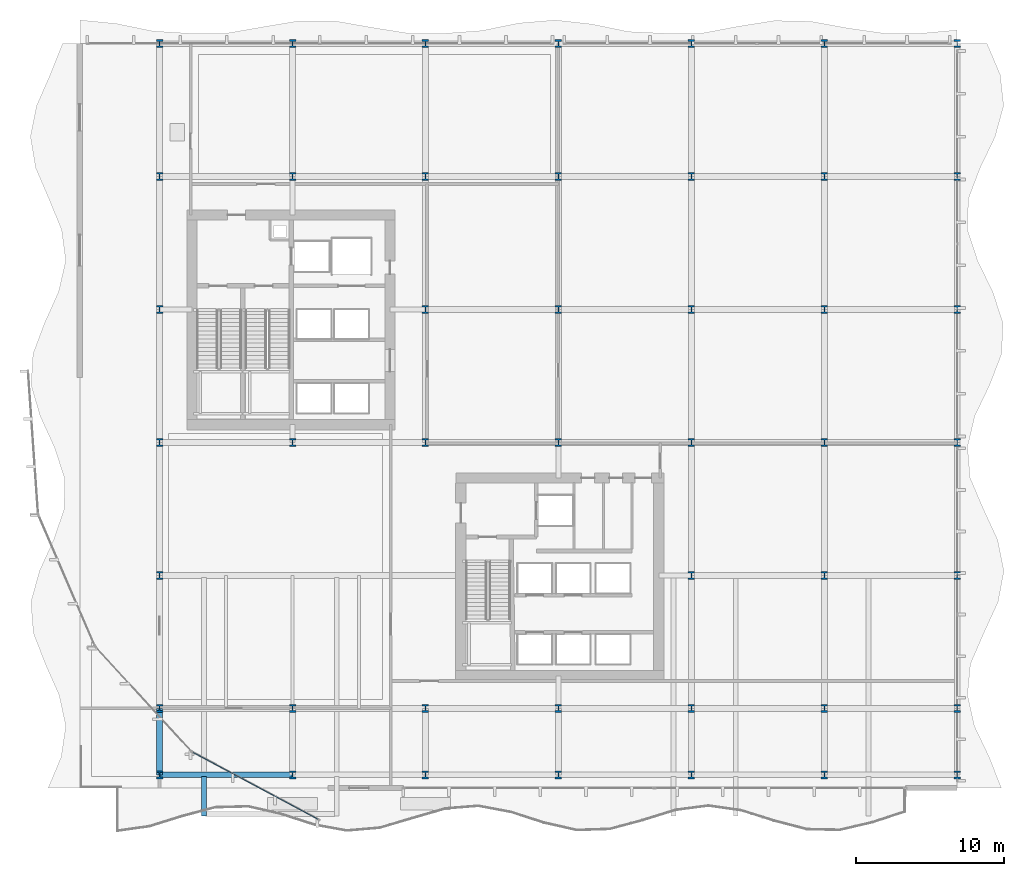
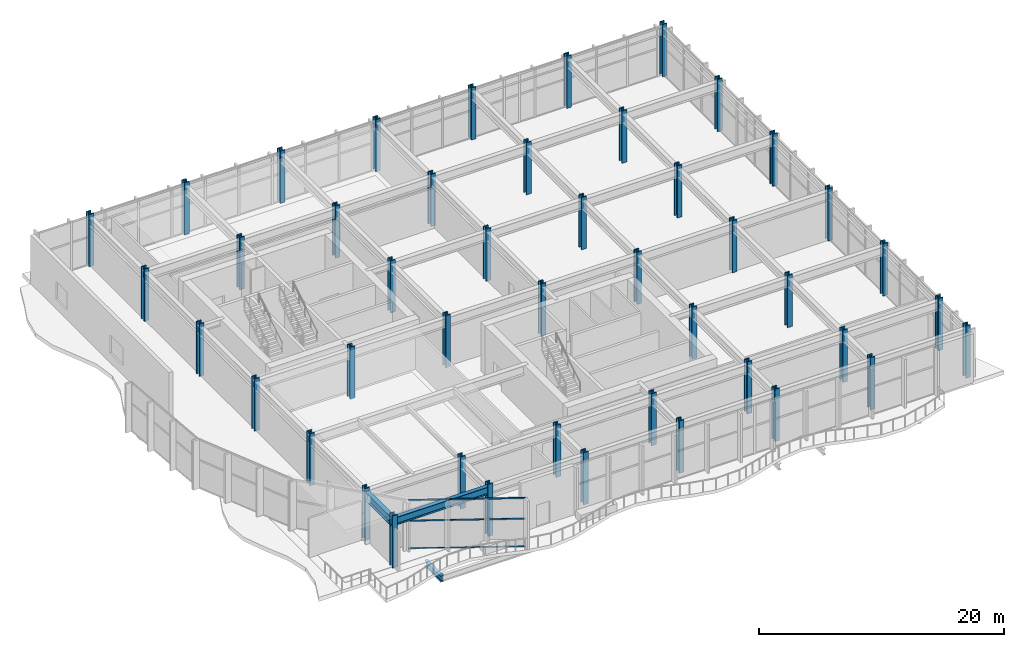
# One storey, part 1 of 31: 45 columns, 3 beams, 3 members, 1 element without a shape of its own.
"""IFC4 building model written with IfcOpenShell, lengths in metres."""

import ifcopenshell
import ifcopenshell.guid

model = None  # the IFC model being written
_history = None  # IfcOwnerHistory: only IFC2X3 demands one
_inside = {}  # id of a spatial element -> (the spatial element, [elements in it])
_under = {}  # id of a project, library or spatial element -> (it, [spatial elements below it])
_declared = {}  # id of a project -> (the project, [libraries it declares])
_typed = {}  # id of a type object -> (the type object, [elements of that type])
_made_of = {}  # id of a material, layer set ... -> (it, [elements and type objects made of it])


def new_model(schema):
    """Start an empty IFC model of exactly this schema.

    Asked for "IFC4X3", IfcOpenShell would pick the latest addendum, in which some entities
    have other attributes; the version numbers below select the first issue.
    IFC2X3 requires an IfcOwnerHistory on every rooted entity: one is made here for all.
    """
    global model, _history
    if schema == "IFC4X3":
        model = ifcopenshell.file(schema_version=(4, 3, 0, 0))
    else:
        model = ifcopenshell.file(schema=schema)
    _inside.clear()
    _under.clear()
    _declared.clear()
    _typed.clear()
    _made_of.clear()
    _history = None
    if model.schema == "IFC2X3":
        org = make("IfcOrganization", Name="unknown")
        user = make(
            "IfcPersonAndOrganization",
            ThePerson=make("IfcPerson", FamilyName="unknown"),
            TheOrganization=org,
        )
        app = make(
            "IfcApplication",
            ApplicationDeveloper=org,
            Version="unknown",
            ApplicationFullName="unknown",
            ApplicationIdentifier="unknown",
        )
        _history = make(
            "IfcOwnerHistory",
            OwningUser=user,
            OwningApplication=app,
            ChangeAction="ADDED",
            CreationDate=0,
        )
    return model


def make(cls, **values):
    """One entity of the class cls with the attributes given. An attribute that is None is left unset."""
    return model.create_entity(
        cls, **{name: value for name, value in values.items() if value is not None}
    )


def rooted(cls, **values):
    """An entity with a GlobalId (a new one), such as an element, a storey or a relation."""
    return make(cls, GlobalId=ifcopenshell.guid.new(), OwnerHistory=_history, **values)


def si_unit(unit_type, name, prefix=None):
    """IfcSIUnit, for example si_unit("LENGTHUNIT", "METRE", prefix="MILLI")."""
    return make("IfcSIUnit", UnitType=unit_type, Prefix=prefix, Name=name)


def assignment(units):
    """IfcUnitAssignment: the units of a project."""
    return None if units is None else make("IfcUnitAssignment", Units=units)


def point(xyz):
    """IfcCartesianPoint."""
    return None if xyz is None else make("IfcCartesianPoint", Coordinates=xyz)


def direction(xyz):
    """IfcDirection."""
    return None if xyz is None else make("IfcDirection", DirectionRatios=xyz)


def frame(location, z_axis=None, x_axis=None):
    """IfcAxis2Placement3D, a coordinate frame: its origin and axes. An axis left out is left unset."""
    return make(
        "IfcAxis2Placement3D",
        Location=point(location),
        Axis=direction(z_axis),
        RefDirection=direction(x_axis),
    )


def frame_2d(location, x_axis=None):
    """IfcAxis2Placement2D, a coordinate frame in the plane: its origin and x axis."""
    return make(
        "IfcAxis2Placement2D", Location=point(location), RefDirection=direction(x_axis)
    )


def origin():
    """The frame at (0, 0, 0) with its axes left unset."""
    return frame((0.0, 0.0, 0.0))


def origin_2d():
    """The frame at (0, 0) in the plane with its x axis left unset."""
    return frame_2d((0.0, 0.0))


def place(relative_to, where):
    """IfcLocalPlacement: puts the frame where relative to a parent placement (None: the world)."""
    return make(
        "IfcLocalPlacement", PlacementRelTo=relative_to, RelativePlacement=where
    )


def context(
    kind, dimensions, precision=None, world=None, true_north=None, identifier=None
):
    """IfcGeometricRepresentationContext, for example the 3D "Model" context."""
    return make(
        "IfcGeometricRepresentationContext",
        ContextIdentifier=identifier,
        ContextType=kind,
        CoordinateSpaceDimension=dimensions,
        Precision=precision,
        WorldCoordinateSystem=world,
        TrueNorth=true_north,
    )


def subcontext(parent, identifier, kind, view, scale=None):
    """IfcGeometricRepresentationSubContext, for example "Body" below "Model"."""
    return make(
        "IfcGeometricRepresentationSubContext",
        ContextIdentifier=identifier,
        ContextType=kind,
        ParentContext=parent,
        TargetScale=scale,
        TargetView=view,
    )


def project(units=None, contexts=None):
    """IfcProject with its units and contexts."""
    return rooted(
        "IfcProject",
        Name="project",
        RepresentationContexts=contexts,
        UnitsInContext=assignment(units),
    )


def spatial(cls, under=None, at=None, **own):
    """A site, building, storey or space (cls), placed at a placement, below another one or the project."""
    s = rooted(cls, ObjectPlacement=at, **own)
    if under is not None:
        _under.setdefault(under.id(), (under, []))[1].append(s)
    return s


def profile(cls, at=None, kind="AREA", **sizes):
    """A parametric profile (cls). Its sizes go by their IFC names, for example OverallWidth=200.0."""
    return make(cls, ProfileType=kind, Position=at, **sizes)


def hollow_rectangle(**sizes):
    """IfcRectangleHollowProfileDef."""
    return profile("IfcRectangleHollowProfileDef", **sizes)


def i_section(**sizes):
    """IfcIShapeProfileDef."""
    return profile("IfcIShapeProfileDef", **sizes)


def extrude(swept, where, along, depth):
    """IfcExtrudedAreaSolid: the profile swept, set in the frame where, extruded along a direction by depth."""
    return make(
        "IfcExtrudedAreaSolid",
        SweptArea=swept,
        Position=where,
        ExtrudedDirection=direction(along),
        Depth=depth,
    )


def shape(context_of_items, identifier, shape_type, items):
    """IfcShapeRepresentation: the items that make up one representation, for example the "Body"."""
    return make(
        "IfcShapeRepresentation",
        ContextOfItems=context_of_items,
        RepresentationIdentifier=identifier,
        RepresentationType=shape_type,
        Items=items,
    )


def material(Name=None, Category=None):
    """IfcMaterial."""
    return make("IfcMaterial", Name=Name, Category=Category)


def layer(
    of_material, thickness, ventilated=None, Name=None, Category=None, Priority=None
):
    """IfcMaterialLayer: one layer of a wall or slab, of a material (None: an air gap)."""
    return make(
        "IfcMaterialLayer",
        Material=of_material,
        LayerThickness=thickness,
        IsVentilated=ventilated,
        Name=Name,
        Category=Category,
        Priority=Priority,
    )


def layer_set(layers, Name=None):
    """IfcMaterialLayerSet."""
    return make("IfcMaterialLayerSet", MaterialLayers=layers, LayerSetName=Name)


def material_profile(
    of_material, cross_section, Name=None, Category=None, Priority=None
):
    """IfcMaterialProfile: a cross section and its material."""
    return make(
        "IfcMaterialProfile",
        Name=Name,
        Material=of_material,
        Profile=cross_section,
        Priority=Priority,
        Category=Category,
    )


def profile_set(profiles, Name=None, composite=None):
    """IfcMaterialProfileSet."""
    return make(
        "IfcMaterialProfileSet",
        Name=Name,
        MaterialProfiles=profiles,
        CompositeProfile=composite,
    )


def made_of(thing, what):
    """Note that an element or type object is made of a material, layer set ...; save() writes the relation."""
    if what is not None:
        _made_of.setdefault(what.id(), (what, []))[1].append(thing)
    return thing


def type_object(cls, material=None, **own):
    """A type object (cls), such as IfcWallType, which elements share."""
    return made_of(rooted(cls, **own), material)


def element(
    cls,
    number,
    at=None,
    inside=None,
    cuts=None,
    type_object=None,
    material=None,
    context=None,
    identifier="Body",
    shape_type=None,
    held_by="IfcProductDefinitionShape",
    body=None,
    shapes=None,
    **own,
):
    """One element of the class cls, such as IfcWall. Its Tag is "e" and its number.

    at: its placement. inside: the storey or other place that contains it. cuts: it is an
    opening in that element (IfcRelVoidsElement). A single representation is given by context,
    identifier, shape_type and body (its items); several are given by shapes. held_by: the class
    of the entity that holds the representations. save() writes the other relations.
    """
    e = rooted(cls, Tag="e%d" % number, ObjectPlacement=at, **own)
    if body is not None:
        shapes = [shape(context, identifier, shape_type, body)]
    if shapes is not None:
        e.Representation = make(held_by, Representations=shapes)
    if inside is not None:
        _inside.setdefault(inside.id(), (inside, []))[1].append(e)
    if cuts is not None:
        rooted(
            "IfcRelVoidsElement", RelatingBuildingElement=cuts, RelatedOpeningElement=e
        )
    if type_object is not None:
        _typed.setdefault(type_object.id(), (type_object, []))[1].append(e)
    return made_of(e, material)


def aggregate(whole, parts):
    """IfcRelAggregates: a whole, such as a stair, and the parts it consists of."""
    return rooted("IfcRelAggregates", RelatingObject=whole, RelatedObjects=parts)


def save(model, path):
    """Write the relations noted so far, then the file.

    IfcRelAggregates (storeys below a building ...), IfcRelContainedInSpatialStructure (elements
    in a storey), IfcRelDefinesByType, IfcRelAssociatesMaterial and IfcRelDeclares: one each for
    every whole, place, type object, material and project.
    """
    for whole, parts in _under.values():
        aggregate(whole, parts)
    for where, things in _inside.values():
        rooted(
            "IfcRelContainedInSpatialStructure",
            RelatedElements=things,
            RelatingStructure=where,
        )
    for kind, things in _typed.values():
        rooted("IfcRelDefinesByType", RelatedObjects=things, RelatingType=kind)
    for what, things in _made_of.values():
        rooted("IfcRelAssociatesMaterial", RelatedObjects=things, RelatingMaterial=what)
    for by, libraries in _declared.values():
        rooted("IfcRelDeclares", RelatingContext=by, RelatedDefinitions=libraries)
    model.write(path)


model = new_model("IFC4")

# Units and contexts
model_context = context("Model", 3, precision=1e-05, world=origin(), true_north=direction((0.0, 1.0)))
body_context = subcontext(model_context, "Body", "Model", "MODEL_VIEW")
ifc_project = project(units=[si_unit("LENGTHUNIT", "METRE"), si_unit("AREAUNIT", "SQUARE_METRE"), si_unit("VOLUMEUNIT", "CUBIC_METRE"), si_unit("PLANEANGLEUNIT", "RADIAN"), si_unit("MASSUNIT", "GRAM", prefix="KILO")], contexts=[model_context])

# Site, building, storey
site_placement = place(None, origin())
site = spatial("IfcSite", under=ifc_project, at=site_placement, CompositionType="ELEMENT")
building_placement = place(site_placement, origin())
building = spatial("IfcBuilding", under=site, at=building_placement, Name="Solvaryn Broadcast Tower", CompositionType="ELEMENT")
storey_placement = place(building_placement, frame((0.0, 0.0, 11.0)))
storey = spatial("IfcBuildingStorey", under=building, at=storey_placement, Name="L02", CompositionType="ELEMENT", Elevation=11.0)

# Columns
ifc_material_1 = material(Name="Steel ASTM A913 Grade 65", Category="steel")
ifc_material_profile_1 = material_profile(ifc_material_1, i_section(OverallWidth=0.44189453125, OverallDepth=0.531005859375, WebThickness=0.06591796875, FlangeThickness=0.105712890625, FilletRadius=0.014892578125, at=origin_2d()))
ifc_profile_set_1 = profile_set([ifc_material_profile_1], Name="Steel ASTM A913 Grade 65")
column_type_1 = type_object("IfcColumnType", Name="COL-C02E-W14X605", PredefinedType="COLUMN", material=ifc_profile_set_1)
for number, where, z_axis, x_axis, name in (
    (1, (9.0, 54.0, 0.0), (0.0, 0.0, 1.0), (1.0, 0.0, 0.0), "L02 Column (9.0, 54.0)"),
    (2, (18.0, 54.0, 0.0), (0.0, 0.0, 1.0), (1.0, 0.0, 0.0), "L02 Column (18.0, 54.0)"),
    (3, (27.0, 54.0, 0.0), (0.0, 0.0, 1.0), (1.0, 0.0, 0.0), "L02 Column (27.0, 54.0)"),
    (4, (36.0, 54.0, 0.0), (0.0, 0.0, 1.0), (1.0, 0.0, 0.0), "L02 Column (36.0, 54.0)"),
    (5, (45.0, 54.0, 0.0), (0.0, 0.0, 1.0), (1.0, 0.0, 0.0), "L02 Column (45.0, 54.0)"),
    (6, (54.0, 54.0, 0.0), (0.0, 0.0, 1.0), (1.0, 0.0, 0.0), "L02 Column (54.0, 54.0)"),
    (7, (63.0, 9.0, 0.0), (0.0, 0.0, 1.0), (1.0, 0.0, 0.0), "L02 Column (63.0, 9.0)"),
    (8, (63.0, 18.0, 0.0), (0.0, 0.0, 1.0), (1.0, 0.0, 0.0), "L02 Column (63.0, 18.0)"),
    (9, (63.0, 27.0, 0.0), (0.0, 0.0, 1.0), (1.0, 0.0, 0.0), "L02 Column (63.0, 27.0)"),
    (10, (63.0, 36.0, 0.0), (0.0, 0.0, 1.0), (1.0, 0.0, 0.0), "L02 Column (63.0, 36.0)"),
    (11, (63.0, 45.0, 0.0), (0.0, 0.0, 1.0), (1.0, 0.0, 0.0), "L02 Column (63.0, 45.0)"),
    (12, (63.0, 54.0, 0.0), (0.0, 0.0, 1.0), (1.0, 0.0, 0.0), "L02 Column (63.0, 54.0)"),
    (13, (9.0, 4.5, 0.0), (0.0, 0.0, 1.0), (1.0, 0.0, 0.0), "L02 Column (9.0, 4.5)"),
    (14, (18.0, 4.5, 0.0), (0.0, 0.0, 1.0), (1.0, 0.0, 0.0), "L02 Column (18.0, 4.5)"),
    (15, (27.0, 4.5, 0.0), (0.0, 0.0, 1.0), (1.0, 0.0, 0.0), "L02 Column (27.0, 4.5)"),
    (16, (36.0, 4.5, 0.0), (0.0, 0.0, 1.0), (1.0, 0.0, 0.0), "L02 Column (36.0, 4.5)"),
    (17, (45.0, 4.5, 0.0), (0.0, 0.0, 1.0), (1.0, 0.0, 0.0), "L02 Column (45.0, 4.5)"),
    (18, (54.0, 4.5, 0.0), (0.0, 0.0, 1.0), (1.0, 0.0, 0.0), "L02 Column (54.0, 4.5)"),
    (19, (63.0, 4.5, 0.0), (0.0, 0.0, 1.0), (1.0, 0.0, 0.0), "L02 Column (63.0, 4.5)"),
):
    element("IfcColumn", number, at=place(storey_placement, frame(where, z_axis=z_axis, x_axis=x_axis)), inside=storey, type_object=column_type_1, Name=name, PredefinedType="COLUMN", context=body_context, shape_type="SweptSolid", body=[
        extrude(i_section(OverallWidth=0.44189453125, OverallDepth=0.531005859375, WebThickness=0.06591796875, FlangeThickness=0.105712890625, FilletRadius=0.014892578125, at=origin_2d()), origin(), (0.0, 0.0, 1.0), 5.199951171875),
    ])
ifc_material_2 = material(Name="Steel ASTM A913 Grade 65", Category="steel")
ifc_material_profile_2 = material_profile(ifc_material_2, i_section(OverallWidth=0.44189453125, OverallDepth=0.531005859375, WebThickness=0.06591796875, FlangeThickness=0.105712890625, FilletRadius=0.014892578125, at=origin_2d()))
ifc_profile_set_2 = profile_set([ifc_material_profile_2], Name="Steel ASTM A913 Grade 65")
column_type_2 = type_object("IfcColumnType", Name="COL-C02I-W14X605", PredefinedType="COLUMN", material=ifc_profile_set_2)
for number, where, z_axis, x_axis, name in (
    (20, (9.0, 9.0, 0.0), (0.0, 0.0, 1.0), (1.0, 0.0, 0.0), "L02 Column (9.0, 9.0)"),
    (21, (9.0, 18.0, 0.0), (0.0, 0.0, 1.0), (1.0, 0.0, 0.0), "L02 Column (9.0, 18.0)"),
    (22, (9.0, 27.0, 0.0), (0.0, 0.0, 1.0), (1.0, 0.0, 0.0), "L02 Column (9.0, 27.0)"),
    (23, (9.0, 36.0, 0.0), (0.0, 0.0, 1.0), (1.0, 0.0, 0.0), "L02 Column (9.0, 36.0)"),
    (24, (9.0, 45.0, 0.0), (0.0, 0.0, 1.0), (1.0, 0.0, 0.0), "L02 Column (9.0, 45.0)"),
    (25, (18.0, 9.0, 0.0), (0.0, 0.0, 1.0), (1.0, 0.0, 0.0), "L02 Column (18.0, 9.0)"),
    (26, (18.0, 27.0, 0.0), (0.0, 0.0, 1.0), (1.0, 0.0, 0.0), "L02 Column (18.0, 27.0)"),
    (27, (18.0, 45.0, 0.0), (0.0, 0.0, 1.0), (1.0, 0.0, 0.0), "L02 Column (18.0, 45.0)"),
    (28, (27.0, 9.0, 0.0), (0.0, 0.0, 1.0), (1.0, 0.0, 0.0), "L02 Column (27.0, 9.0)"),
    (29, (27.0, 27.0, 0.0), (0.0, 0.0, 1.0), (1.0, 0.0, 0.0), "L02 Column (27.0, 27.0)"),
    (30, (27.0, 36.0, 0.0), (0.0, 0.0, 1.0), (1.0, 0.0, 0.0), "L02 Column (27.0, 36.0)"),
    (31, (27.0, 45.0, 0.0), (0.0, 0.0, 1.0), (1.0, 0.0, 0.0), "L02 Column (27.0, 45.0)"),
    (32, (36.0, 9.0, 0.0), (0.0, 0.0, 1.0), (1.0, 0.0, 0.0), "L02 Column (36.0, 9.0)"),
    (33, (36.0, 27.0, 0.0), (0.0, 0.0, 1.0), (1.0, 0.0, 0.0), "L02 Column (36.0, 27.0)"),
    (34, (36.0, 36.0, 0.0), (0.0, 0.0, 1.0), (1.0, 0.0, 0.0), "L02 Column (36.0, 36.0)"),
    (35, (36.0, 45.0, 0.0), (0.0, 0.0, 1.0), (1.0, 0.0, 0.0), "L02 Column (36.0, 45.0)"),
    (36, (45.0, 9.0, 0.0), (0.0, 0.0, 1.0), (1.0, 0.0, 0.0), "L02 Column (45.0, 9.0)"),
    (37, (45.0, 18.0, 0.0), (0.0, 0.0, 1.0), (1.0, 0.0, 0.0), "L02 Column (45.0, 18.0)"),
    (38, (45.0, 27.0, 0.0), (0.0, 0.0, 1.0), (1.0, 0.0, 0.0), "L02 Column (45.0, 27.0)"),
    (39, (45.0, 36.0, 0.0), (0.0, 0.0, 1.0), (1.0, 0.0, 0.0), "L02 Column (45.0, 36.0)"),
    (40, (45.0, 45.0, 0.0), (0.0, 0.0, 1.0), (1.0, 0.0, 0.0), "L02 Column (45.0, 45.0)"),
    (41, (54.0, 9.0, 0.0), (0.0, 0.0, 1.0), (1.0, 0.0, 0.0), "L02 Column (54.0, 9.0)"),
    (42, (54.0, 18.0, 0.0), (0.0, 0.0, 1.0), (1.0, 0.0, 0.0), "L02 Column (54.0, 18.0)"),
    (43, (54.0, 27.0, 0.0), (0.0, 0.0, 1.0), (1.0, 0.0, 0.0), "L02 Column (54.0, 27.0)"),
    (44, (54.0, 36.0, 0.0), (0.0, 0.0, 1.0), (1.0, 0.0, 0.0), "L02 Column (54.0, 36.0)"),
    (45, (54.0, 45.0, 0.0), (0.0, 0.0, 1.0), (1.0, 0.0, 0.0), "L02 Column (54.0, 45.0)"),
):
    element("IfcColumn", number, at=place(storey_placement, frame(where, z_axis=z_axis, x_axis=x_axis)), inside=storey, type_object=column_type_2, Name=name, PredefinedType="COLUMN", context=body_context, shape_type="SweptSolid", body=[
        extrude(i_section(OverallWidth=0.44189453125, OverallDepth=0.531005859375, WebThickness=0.06591796875, FlangeThickness=0.105712890625, FilletRadius=0.014892578125, at=origin_2d()), origin(), (0.0, 0.0, 1.0), 5.199951171875),
    ])

# Beams
ifc_material_3 = material(Name="Steel ASTM A992 Grade 50", Category="steel")
ifc_material_profile_3 = material_profile(ifc_material_3, i_section(OverallWidth=0.323974609375, OverallDepth=0.611083984375, WebThickness=0.0126953125, FlangeThickness=0.01904296875, FilletRadius=0.014892578125, at=origin_2d()))
ifc_profile_set_3 = profile_set([ifc_material_profile_3], Name="Steel ASTM A992 Grade 50")
beam_type_1 = type_object("IfcBeamType", Name="BM-CANT-TER", PredefinedType="BEAM", material=ifc_profile_set_3)
beam_1_placement = place(storey_placement, frame((12.0, 4.375, -0.62548828125), z_axis=(0.0, -1.0, 0.0), x_axis=(1.0, 0.0, 0.0)))
element("IfcBeam", 46, at=beam_1_placement, inside=storey, type_object=beam_type_1, Name="L02 Terrace Cantilever Beam X12.0", PredefinedType="BEAM", context=body_context, shape_type="SweptSolid", body=[
    extrude(i_section(OverallWidth=0.323974609375, OverallDepth=0.611083984375, WebThickness=0.0126953125, FlangeThickness=0.01904296875, FilletRadius=0.014892578125, at=origin_2d()), origin(), (0.0, 0.0, 1.0), 2.675048828125),
])
ifc_material_4 = material(Name="Steel ASTM A992 Grade 50", Category="steel")
ifc_material_profile_4 = material_profile(ifc_material_4, i_section(OverallWidth=0.39990234375, OverallDepth=0.85498046875, WebThickness=0.018310546875, FlangeThickness=0.029296875, FilletRadius=0.02001953125, at=origin_2d()))
ifc_profile_set_4 = profile_set([ifc_material_profile_4], Name="Steel ASTM A992 Grade 50")
beam_type_2 = type_object("IfcBeamType", Name="BM-G3-W33X201", PredefinedType="BEAM", material=ifc_profile_set_4)
beam_2_placement = place(storey_placement, frame((9.0, 4.5, 4.452392578125), z_axis=(0.0, 1.0, 0.0), x_axis=(-1.0, 0.0, 0.0)))
element("IfcBeam", 47, at=beam_2_placement, inside=storey, type_object=beam_type_2, Name="L02 Primary Beam Y (4-9 @ X=9)", PredefinedType="BEAM", context=body_context, shape_type="SweptSolid", body=[
    extrude(i_section(OverallWidth=0.39990234375, OverallDepth=0.85498046875, WebThickness=0.018310546875, FlangeThickness=0.029296875, FilletRadius=0.02001953125, at=origin_2d()), origin(), (0.0, 0.0, 1.0), 4.5),
])
ifc_material_5 = material(Name="Steel ASTM A992 Grade 50", Category="steel")
ifc_material_profile_5 = material_profile(ifc_material_5, i_section(OverallWidth=0.381103515625, OverallDepth=0.77294921875, WebThickness=0.0166015625, FlangeThickness=0.027099609375, FilletRadius=0.01806640625, at=origin_2d()))
ifc_profile_set_5 = profile_set([ifc_material_profile_5], Name="Steel ASTM A992 Grade 50")
beam_type_3 = type_object("IfcBeamType", Name="BM-SP1-W30X173", PredefinedType="USERDEFINED", material=ifc_profile_set_5)
beam_3_placement = place(storey_placement, frame((9.0, 4.5, 4.493408203125), z_axis=(1.0, 0.0, 0.0), x_axis=(0.0, 1.0, 0.0)))
element("IfcBeam", 48, at=beam_3_placement, inside=storey, type_object=beam_type_3, Name="L02 Spandrel Beam X (9-18 @ Y=4)", ObjectType="SPANDREL", PredefinedType="USERDEFINED", context=body_context, shape_type="SweptSolid", body=[
    extrude(i_section(OverallWidth=0.381103515625, OverallDepth=0.77294921875, WebThickness=0.0166015625, FlangeThickness=0.027099609375, FilletRadius=0.01806640625, at=origin_2d()), origin(), (0.0, 0.0, 1.0), 9.0),
])

# Curtain wall, members
ifc_material_6 = material(Name="Aluminium and Terracotta Unitised Curtain Wall", Category="masonry")
ifc_layer = layer(ifc_material_6, 0.219970703125)
ifc_layer_set = layer_set([ifc_layer], Name="CW-SYS1-PODIUM")
curtain_wall_type = type_object("IfcCurtainWallType", Name="CW-SYS1-PODIUM", PredefinedType="NOTDEFINED", material=ifc_layer_set)
curtain_wall_placement = place(storey_placement, origin())
curtain_wall = element("IfcCurtainWall", 49, at=curtain_wall_placement, inside=storey, type_object=curtain_wall_type, Name="L02 Podium Curtain Wall DC4", PredefinedType="NOTDEFINED")
ifc_material_7 = material(Name="Anodised Aluminium 6063-T6", Category="aluminium")
ifc_material_profile_6 = material_profile(ifc_material_7, hollow_rectangle(XDim=0.06494140625, YDim=0.14990234375, WallThickness=0.00390625, InnerFilletRadius=0.00390625, OuterFilletRadius=0.008056640625, at=origin_2d()))
ifc_profile_set_6 = profile_set([ifc_material_profile_6], Name="Anodised Aluminium 6063-T6")
member_type = type_object("IfcMemberType", Name="CW-TRN-150", PredefinedType="USERDEFINED", material=ifc_profile_set_6)
member_1_placement = place(storey_placement, frame((11.260986328125, 6.019775390625, 0.030029296875), z_axis=(0.881787345992, -0.471647194892, 0.0), x_axis=(0.471647194892, 0.881787345992, 0.0)))
member_1 = element("IfcMember", 50, at=member_1_placement, type_object=member_type, Name="CWS1 transom 1.1", ObjectType="TRANSOM", PredefinedType="USERDEFINED", context=body_context, shape_type="SweptSolid", body=[
    extrude(hollow_rectangle(XDim=0.06494140625, YDim=0.14990234375, WallThickness=0.00390625, InnerFilletRadius=0.00390625, OuterFilletRadius=0.008056640625, at=origin_2d()), origin(), (0.0, 0.0, 1.0), 9.605712890625),
])
member_2_placement = place(storey_placement, frame((11.260986328125, 6.019775390625, 2.800048828125), z_axis=(0.881787345992, -0.471647194892, 0.0), x_axis=(0.471647194892, 0.881787345992, 0.0)))
member_2 = element("IfcMember", 51, at=member_2_placement, type_object=member_type, Name="CWS1 transom 1.2", ObjectType="TRANSOM", PredefinedType="USERDEFINED", context=body_context, shape_type="SweptSolid", body=[
    extrude(hollow_rectangle(XDim=0.06494140625, YDim=0.14990234375, WallThickness=0.00390625, InnerFilletRadius=0.00390625, OuterFilletRadius=0.008056640625, at=origin_2d()), origin(), (0.0, 0.0, 1.0), 9.605712890625),
])
member_3_placement = place(storey_placement, frame((11.260986328125, 6.019775390625, 4.85009765625), z_axis=(0.881787345992, -0.471647194892, 0.0), x_axis=(0.471647194892, 0.881787345992, 0.0)))
member_3 = element("IfcMember", 52, at=member_3_placement, type_object=member_type, Name="CWS1 transom 1.3", ObjectType="TRANSOM", PredefinedType="USERDEFINED", context=body_context, shape_type="SweptSolid", body=[
    extrude(hollow_rectangle(XDim=0.06494140625, YDim=0.14990234375, WallThickness=0.00390625, InnerFilletRadius=0.00390625, OuterFilletRadius=0.008056640625, at=origin_2d()), origin(), (0.0, 0.0, 1.0), 9.605712890625),
])
aggregate(curtain_wall, [member_1, member_2, member_3])

save(model, "model.ifc")
